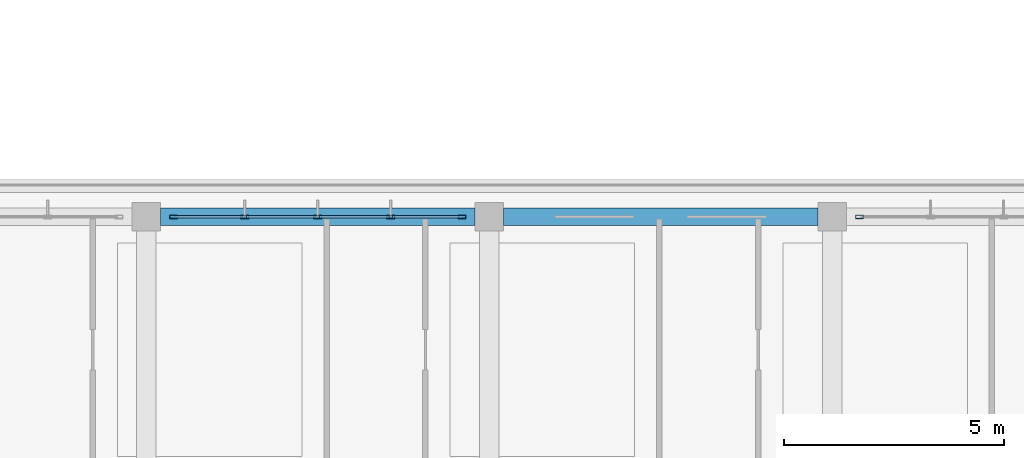
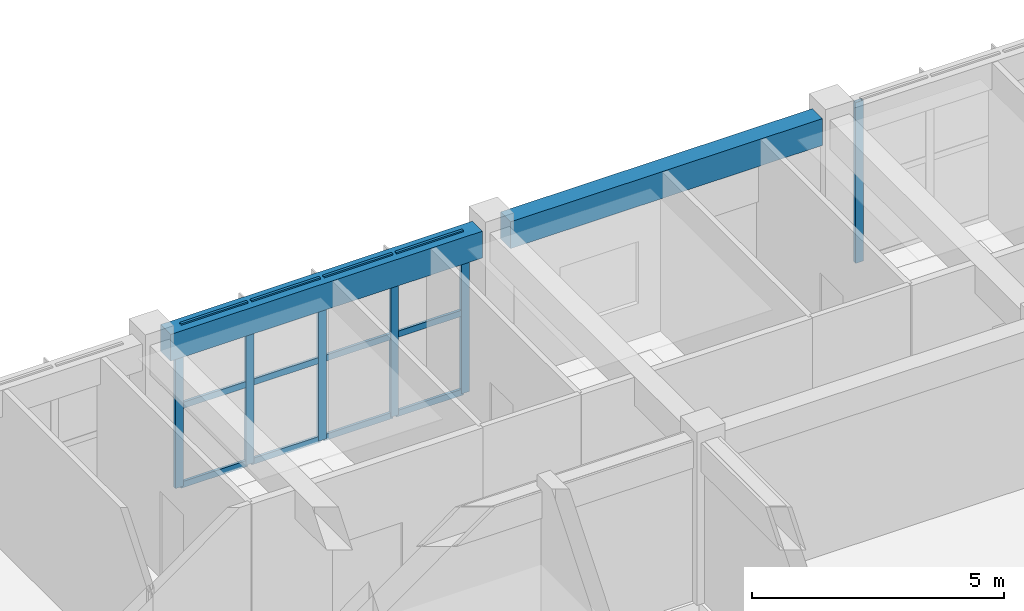
# One storey, part 18 of 63: 18 members, 2 beams, 2 elements without a shape of their own.
"""IFC4 building model written with IfcOpenShell, lengths in metres."""

from ifc_helpers import new_model, si_unit, direction, frame, origin, origin_2d, place, context, subcontext, project, spatial, rectangle, hollow_rectangle, extrude, material, layer, layer_set, material_profile, profile_set, type_object, element, aggregate, save


model = new_model("IFC4")

# Units and contexts
model_context = context("Model", 3, precision=1e-05, world=origin(), true_north=direction((0.0, 1.0)))
body_context = subcontext(model_context, "Body", "Model", "MODEL_VIEW")
ifc_project = project(units=[si_unit("LENGTHUNIT", "METRE"), si_unit("AREAUNIT", "SQUARE_METRE"), si_unit("VOLUMEUNIT", "CUBIC_METRE"), si_unit("PLANEANGLEUNIT", "RADIAN"), si_unit("MASSUNIT", "GRAM", prefix="KILO")], contexts=[model_context])

# Site, building, storey
site_placement = place(None, origin())
site = spatial("IfcSite", under=ifc_project, at=site_placement, CompositionType="ELEMENT")
building_placement = place(site_placement, origin())
building = spatial("IfcBuilding", under=site, at=building_placement, Name="Zizhar Promenade General Hospital", CompositionType="ELEMENT")
storey_placement = place(building_placement, frame((0.0, 0.0, 18.0)))
storey = spatial("IfcBuildingStorey", under=building, at=storey_placement, Name="L04", CompositionType="ELEMENT", Elevation=18.0)

# Beams
ifc_material_1 = material(Name="Concrete C35/45", Category="concrete")
ifc_material_profile_1 = material_profile(ifc_material_1, rectangle(XDim=0.39990234375, YDim=0.64990234375, at=origin_2d()))
ifc_profile_set_1 = profile_set([ifc_material_profile_1], Name="Concrete C35/45")
beam_type = type_object("IfcBeamType", Name="BM-RC-400x650", PredefinedType="BEAM", material=ifc_profile_set_1)
for number, where, z_axis, x_axis, name in (
    (1, (47.125, 25.199951171875, 3.5849609375), (1.0, 0.0, 0.0), (0.0, 1.0, 0.0), "Grid Beam X L04 (6-3)"),
    (2, (54.925048828125, 25.199951171875, 3.5849609375), (1.0, 0.0, 0.0), (0.0, 1.0, 0.0), "Grid Beam X L04 (7-3)"),
):
    element("IfcBeam", number, at=place(storey_placement, frame(where, z_axis=z_axis, x_axis=x_axis)), inside=storey, type_object=beam_type, Name=name, PredefinedType="BEAM", context=body_context, shape_type="SweptSolid", body=[
        extrude(rectangle(XDim=0.39990234375, YDim=0.64990234375, at=origin_2d()), origin(), (0.0, 0.0, 1.0), 7.14990234375),
    ])

# Curtain wall, members
ifc_material_2 = material(Name="Anodised aluminium 6063-T6 and low-E glass", Category="aluminium")
ifc_layer = layer(ifc_material_2, 0.159912109375)
ifc_layer_set = layer_set([ifc_layer], Name="Anodised aluminium 6063-T6 and low-E glass")
curtain_wall_type = type_object("IfcCurtainWallType", Name="CW-WARD-RIB", PredefinedType="NOTDEFINED", material=ifc_layer_set)
curtain_wall_1_placement = place(storey_placement, origin())
curtain_wall_1 = element("IfcCurtainWall", 3, at=curtain_wall_1_placement, inside=storey, type_object=curtain_wall_type, Name="Ward Ribbon Curtain Wall L04-8-3", PredefinedType="NOTDEFINED")
ifc_material_3 = material(Name="Anodised aluminium 6063-T6", Category="aluminium")
ifc_material_profile_2 = material_profile(ifc_material_3, hollow_rectangle(XDim=0.080078125, YDim=0.179931640625, WallThickness=0.0048828125, at=origin_2d()))
ifc_profile_set_2 = profile_set([ifc_material_profile_2], Name="Anodised aluminium 6063-T6")
member_type_1 = type_object("IfcMemberType", Name="CWM-ALU-180x80", PredefinedType="MULLION", material=ifc_profile_set_2)
member_1_placement = place(storey_placement, frame((47.419921875, 25.199951171875, 0.0), z_axis=(0.0, 0.0, 1.0), x_axis=(0.0, 1.0, 0.0)))
member_1 = element("IfcMember", 4, at=member_1_placement, type_object=member_type_1, Name="CW-13 mullion 1", PredefinedType="MULLION", context=body_context, shape_type="SweptSolid", body=[
    extrude(hollow_rectangle(XDim=0.080078125, YDim=0.179931640625, WallThickness=0.0048828125, at=origin_2d()), origin(), (0.0, 0.0, 1.0), 3.89990234375),
])
member_2_placement = place(storey_placement, frame((49.0400390625, 25.199951171875, 0.0), z_axis=(0.0, 0.0, 1.0), x_axis=(0.0, 1.0, 0.0)))
member_2 = element("IfcMember", 5, at=member_2_placement, type_object=member_type_1, Name="CW-13 mullion 2", PredefinedType="MULLION", context=body_context, shape_type="SweptSolid", body=[
    extrude(hollow_rectangle(XDim=0.080078125, YDim=0.179931640625, WallThickness=0.0048828125, at=origin_2d()), origin(), (0.0, 0.0, 1.0), 3.89990234375),
])
member_3_placement = place(storey_placement, frame((50.699951171875, 25.199951171875, 0.0), z_axis=(0.0, 0.0, 1.0), x_axis=(0.0, 1.0, 0.0)))
member_3 = element("IfcMember", 6, at=member_3_placement, type_object=member_type_1, Name="CW-13 mullion 3", PredefinedType="MULLION", context=body_context, shape_type="SweptSolid", body=[
    extrude(hollow_rectangle(XDim=0.080078125, YDim=0.179931640625, WallThickness=0.0048828125, at=origin_2d()), origin(), (0.0, 0.0, 1.0), 3.89990234375),
])
member_4_placement = place(storey_placement, frame((52.360107421875, 25.199951171875, 0.0), z_axis=(0.0, 0.0, 1.0), x_axis=(0.0, 1.0, 0.0)))
member_4 = element("IfcMember", 7, at=member_4_placement, type_object=member_type_1, Name="CW-13 mullion 4", PredefinedType="MULLION", context=body_context, shape_type="SweptSolid", body=[
    extrude(hollow_rectangle(XDim=0.080078125, YDim=0.179931640625, WallThickness=0.0048828125, at=origin_2d()), origin(), (0.0, 0.0, 1.0), 3.89990234375),
])
member_5_placement = place(storey_placement, frame((53.97998046875, 25.199951171875, 0.0), z_axis=(0.0, 0.0, 1.0), x_axis=(0.0, 1.0, 0.0)))
member_5 = element("IfcMember", 8, at=member_5_placement, type_object=member_type_1, Name="CW-13 mullion 5", PredefinedType="MULLION", context=body_context, shape_type="SweptSolid", body=[
    extrude(hollow_rectangle(XDim=0.080078125, YDim=0.179931640625, WallThickness=0.0048828125, at=origin_2d()), origin(), (0.0, 0.0, 1.0), 3.89990234375),
])

# Curtain wall, member
curtain_wall_2_placement = place(storey_placement, origin())
curtain_wall_2 = element("IfcCurtainWall", 9, at=curtain_wall_2_placement, inside=storey, type_object=curtain_wall_type, Name="Ward Ribbon Curtain Wall L04-8-5", PredefinedType="NOTDEFINED")
member_6_placement = place(storey_placement, frame((63.02001953125, 25.199951171875, 0.0), z_axis=(0.0, 0.0, 1.0), x_axis=(0.0, 1.0, 0.0)))
member_6 = element("IfcMember", 10, at=member_6_placement, type_object=member_type_1, Name="CW-13 mullion 1", PredefinedType="MULLION", context=body_context, shape_type="SweptSolid", body=[
    extrude(hollow_rectangle(XDim=0.080078125, YDim=0.179931640625, WallThickness=0.0048828125, at=origin_2d()), origin(), (0.0, 0.0, 1.0), 3.89990234375),
])
aggregate(curtain_wall_2, [member_6])

# Member
ifc_material_4 = material(Name="Anodised aluminium 6063-T6", Category="aluminium")
ifc_material_profile_3 = material_profile(ifc_material_4, hollow_rectangle(XDim=0.06005859375, YDim=0.14990234375, WallThickness=0.00390625, at=origin_2d()))
ifc_profile_set_3 = profile_set([ifc_material_profile_3], Name="Anodised aluminium 6063-T6")
member_type_2 = type_object("IfcMemberType", Name="CWT-ALU-150x60", PredefinedType="USERDEFINED", material=ifc_profile_set_3)
member_7_placement = place(storey_placement, frame((47.4599609375, 25.199951171875, 0.030029296875), z_axis=(1.0, 0.0, 0.0), x_axis=(0.0, 1.0, 0.0)))
member_7 = element("IfcMember", 11, at=member_7_placement, type_object=member_type_2, Name="CW-13 transom 1.1", ObjectType="TRANSOM", PredefinedType="USERDEFINED", context=body_context, shape_type="SweptSolid", body=[
    extrude(hollow_rectangle(XDim=0.06005859375, YDim=0.14990234375, WallThickness=0.00390625, at=origin_2d()), origin(), (0.0, 0.0, 1.0), 1.5400390625),
])

member_8_placement = place(storey_placement, frame((47.4599609375, 25.199951171875, 1.949951171875), z_axis=(1.0, 0.0, 0.0), x_axis=(0.0, 1.0, 0.0)))
member_8 = element("IfcMember", 12, at=member_8_placement, type_object=member_type_2, Name="CW-13 transom 1.2", ObjectType="TRANSOM", PredefinedType="USERDEFINED", context=body_context, shape_type="SweptSolid", body=[
    extrude(hollow_rectangle(XDim=0.06005859375, YDim=0.14990234375, WallThickness=0.00390625, at=origin_2d()), origin(), (0.0, 0.0, 1.0), 1.5400390625),
])

member_9_placement = place(storey_placement, frame((47.4599609375, 25.199951171875, 3.8701171875), z_axis=(1.0, 0.0, 0.0), x_axis=(0.0, 1.0, 0.0)))
member_9 = element("IfcMember", 13, at=member_9_placement, type_object=member_type_2, Name="CW-13 transom 1.3", ObjectType="TRANSOM", PredefinedType="USERDEFINED", context=body_context, shape_type="SweptSolid", body=[
    extrude(hollow_rectangle(XDim=0.06005859375, YDim=0.14990234375, WallThickness=0.00390625, at=origin_2d()), origin(), (0.0, 0.0, 1.0), 1.5400390625),
])

member_10_placement = place(storey_placement, frame((49.080078125, 25.199951171875, 0.030029296875), z_axis=(1.0, 0.0, 0.0), x_axis=(0.0, 1.0, 0.0)))
member_10 = element("IfcMember", 14, at=member_10_placement, type_object=member_type_2, Name="CW-13 transom 2.1", ObjectType="TRANSOM", PredefinedType="USERDEFINED", context=body_context, shape_type="SweptSolid", body=[
    extrude(hollow_rectangle(XDim=0.06005859375, YDim=0.14990234375, WallThickness=0.00390625, at=origin_2d()), origin(), (0.0, 0.0, 1.0), 1.579833984375),
])

member_11_placement = place(storey_placement, frame((49.080078125, 25.199951171875, 1.949951171875), z_axis=(1.0, 0.0, 0.0), x_axis=(0.0, 1.0, 0.0)))
member_11 = element("IfcMember", 15, at=member_11_placement, type_object=member_type_2, Name="CW-13 transom 2.2", ObjectType="TRANSOM", PredefinedType="USERDEFINED", context=body_context, shape_type="SweptSolid", body=[
    extrude(hollow_rectangle(XDim=0.06005859375, YDim=0.14990234375, WallThickness=0.00390625, at=origin_2d()), origin(), (0.0, 0.0, 1.0), 1.579833984375),
])

member_12_placement = place(storey_placement, frame((49.080078125, 25.199951171875, 3.8701171875), z_axis=(1.0, 0.0, 0.0), x_axis=(0.0, 1.0, 0.0)))
member_12 = element("IfcMember", 16, at=member_12_placement, type_object=member_type_2, Name="CW-13 transom 2.3", ObjectType="TRANSOM", PredefinedType="USERDEFINED", context=body_context, shape_type="SweptSolid", body=[
    extrude(hollow_rectangle(XDim=0.06005859375, YDim=0.14990234375, WallThickness=0.00390625, at=origin_2d()), origin(), (0.0, 0.0, 1.0), 1.579833984375),
])

member_13_placement = place(storey_placement, frame((50.739990234375, 25.199951171875, 0.030029296875), z_axis=(1.0, 0.0, 0.0), x_axis=(0.0, 1.0, 0.0)))
member_13 = element("IfcMember", 17, at=member_13_placement, type_object=member_type_2, Name="CW-13 transom 3.1", ObjectType="TRANSOM", PredefinedType="USERDEFINED", context=body_context, shape_type="SweptSolid", body=[
    extrude(hollow_rectangle(XDim=0.06005859375, YDim=0.14990234375, WallThickness=0.00390625, at=origin_2d()), origin(), (0.0, 0.0, 1.0), 1.580078125),
])

member_14_placement = place(storey_placement, frame((50.739990234375, 25.199951171875, 1.949951171875), z_axis=(1.0, 0.0, 0.0), x_axis=(0.0, 1.0, 0.0)))
member_14 = element("IfcMember", 18, at=member_14_placement, type_object=member_type_2, Name="CW-13 transom 3.2", ObjectType="TRANSOM", PredefinedType="USERDEFINED", context=body_context, shape_type="SweptSolid", body=[
    extrude(hollow_rectangle(XDim=0.06005859375, YDim=0.14990234375, WallThickness=0.00390625, at=origin_2d()), origin(), (0.0, 0.0, 1.0), 1.580078125),
])

member_15_placement = place(storey_placement, frame((50.739990234375, 25.199951171875, 3.8701171875), z_axis=(1.0, 0.0, 0.0), x_axis=(0.0, 1.0, 0.0)))
member_15 = element("IfcMember", 19, at=member_15_placement, type_object=member_type_2, Name="CW-13 transom 3.3", ObjectType="TRANSOM", PredefinedType="USERDEFINED", context=body_context, shape_type="SweptSolid", body=[
    extrude(hollow_rectangle(XDim=0.06005859375, YDim=0.14990234375, WallThickness=0.00390625, at=origin_2d()), origin(), (0.0, 0.0, 1.0), 1.580078125),
])

member_16_placement = place(storey_placement, frame((52.39990234375, 25.199951171875, 0.030029296875), z_axis=(1.0, 0.0, 0.0), x_axis=(0.0, 1.0, 0.0)))
member_16 = element("IfcMember", 20, at=member_16_placement, type_object=member_type_2, Name="CW-13 transom 4.1", ObjectType="TRANSOM", PredefinedType="USERDEFINED", context=body_context, shape_type="SweptSolid", body=[
    extrude(hollow_rectangle(XDim=0.06005859375, YDim=0.14990234375, WallThickness=0.00390625, at=origin_2d()), origin(), (0.0, 0.0, 1.0), 1.5400390625),
])

member_17_placement = place(storey_placement, frame((52.39990234375, 25.199951171875, 1.949951171875), z_axis=(1.0, 0.0, 0.0), x_axis=(0.0, 1.0, 0.0)))
member_17 = element("IfcMember", 21, at=member_17_placement, type_object=member_type_2, Name="CW-13 transom 4.2", ObjectType="TRANSOM", PredefinedType="USERDEFINED", context=body_context, shape_type="SweptSolid", body=[
    extrude(hollow_rectangle(XDim=0.06005859375, YDim=0.14990234375, WallThickness=0.00390625, at=origin_2d()), origin(), (0.0, 0.0, 1.0), 1.5400390625),
])

member_18_placement = place(storey_placement, frame((52.39990234375, 25.199951171875, 3.8701171875), z_axis=(1.0, 0.0, 0.0), x_axis=(0.0, 1.0, 0.0)))
member_18 = element("IfcMember", 22, at=member_18_placement, type_object=member_type_2, Name="CW-13 transom 4.3", ObjectType="TRANSOM", PredefinedType="USERDEFINED", context=body_context, shape_type="SweptSolid", body=[
    extrude(hollow_rectangle(XDim=0.06005859375, YDim=0.14990234375, WallThickness=0.00390625, at=origin_2d()), origin(), (0.0, 0.0, 1.0), 1.5400390625),
])

aggregate(curtain_wall_1, [member_1, member_2, member_3, member_4, member_5, member_7, member_8, member_9, member_10, member_11, member_12, member_13, member_14, member_15, member_16, member_17, member_18])

save(model, "model.ifc")
